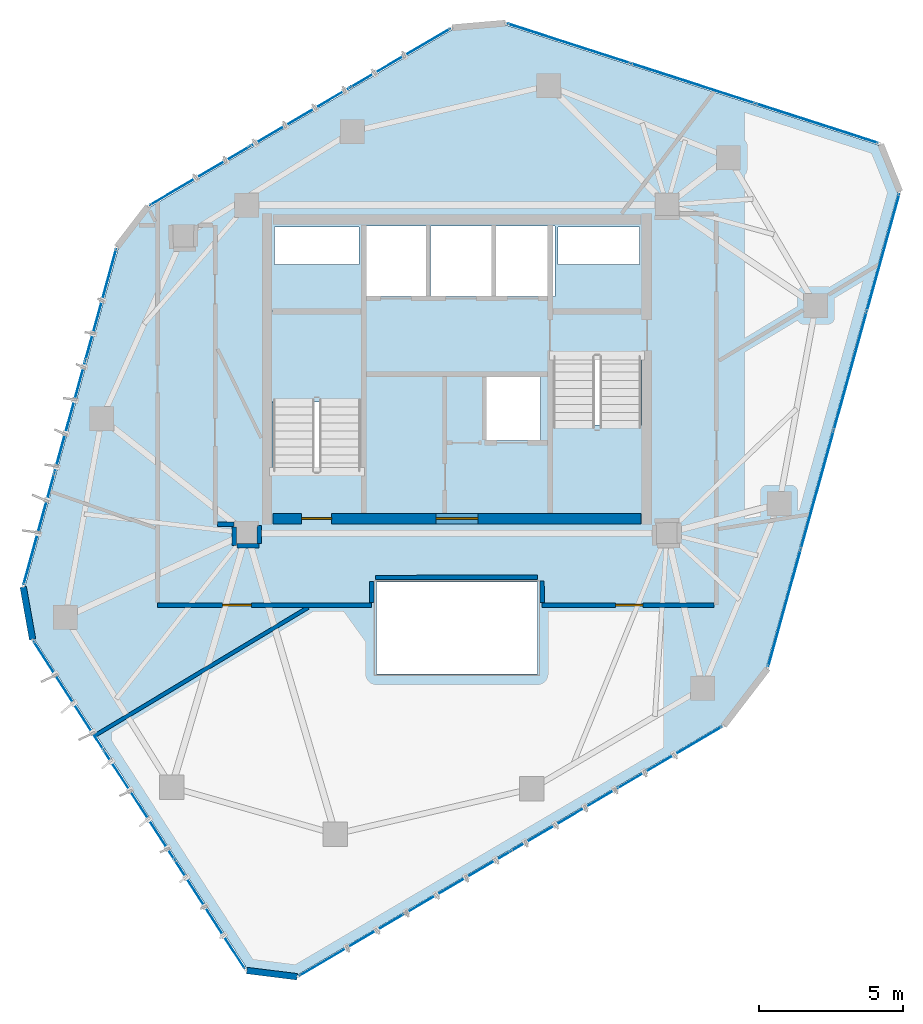
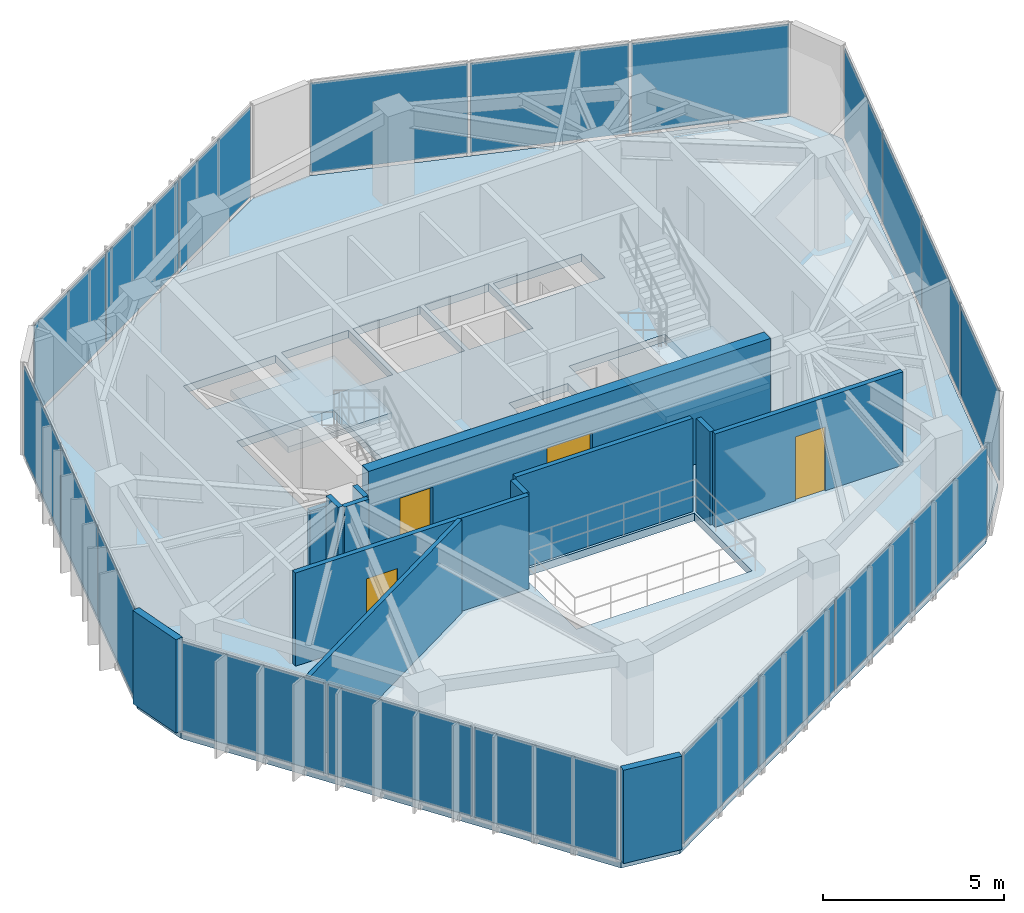
# One storey, part 16 of 20: 20 plates, 13 walls, 4 doors, 3 slabs, 4 openings, 8 elements without a shape of their own.
"""IFC4 building model written with IfcOpenShell, lengths in metres."""

from ifc_helpers import new_model, si_unit, direction, frame, frame_2d, origin, origin_2d, place, context, subcontext, project, spatial, polyline, rectangle, outline, extrude, source, transform, mapped, material, layer, layer_set, type_object, type_shapes, element, fill, aggregate, save


model = new_model("IFC4")

# Units and contexts
model_context = context("Model", 3, precision=1e-05, world=origin(), true_north=direction((0.0, 1.0)))
body_context = subcontext(model_context, "Body", "Model", "MODEL_VIEW")
ifc_project = project(units=[si_unit("LENGTHUNIT", "METRE"), si_unit("AREAUNIT", "SQUARE_METRE"), si_unit("VOLUMEUNIT", "CUBIC_METRE"), si_unit("PLANEANGLEUNIT", "RADIAN"), si_unit("MASSUNIT", "GRAM", prefix="KILO")], contexts=[model_context])

# Site, building, storey
site_placement = place(None, origin())
site = spatial("IfcSite", under=ifc_project, at=site_placement, CompositionType="ELEMENT")
building_placement = place(site_placement, origin())
building = spatial("IfcBuilding", under=site, at=building_placement, Name="Talar Marvaseh", CompositionType="ELEMENT")
storey_placement = place(building_placement, frame((0.0, 0.0, 254.39990234375)))
storey = spatial("IfcBuildingStorey", under=building, at=storey_placement, Name="L67", CompositionType="ELEMENT", Elevation=254.39990234375)

# Stair, slab
ifc_material_1 = material(Name="Concrete C40/50", Category="concrete")
stair_type = type_object("IfcStairType", Name="Reinforced Concrete High-Rise Exit Stair Type C", PredefinedType="HALF_TURN_STAIR", material=ifc_material_1)
stair_1_placement = place(storey_placement, origin())
stair_1 = element("IfcStair", 1, at=stair_1_placement, inside=storey, type_object=stair_type, Name="L67 Tower West Core Exit Stair", PredefinedType="HALF_TURN_STAIR")
ifc_layer_1 = layer(ifc_material_1, 0.199951171875)
ifc_layer_set_1 = layer_set([ifc_layer_1], Name="Concrete C40/50")
slab_type_1 = type_object("IfcSlabType", Name="Reinforced Concrete Stair Half-Landing Slab 200", PredefinedType="LANDING", material=ifc_layer_set_1)
slab_1_placement = place(storey_placement, frame((0.0, 0.0, 1.5)))
slab_1 = element("IfcSlab", 2, at=slab_1_placement, type_object=slab_type_1, Name="ST-1 landing 1", PredefinedType="LANDING", context=body_context, shape_type="SweptSolid", body=[
    extrude(outline(polyline([(22.780029296875, 30.050048828125), (22.780029296875, 33.219970703125), (19.47998046875, 33.219970703125), (19.47998046875, 30.050048828125), (22.780029296875, 30.050048828125)])), origin(), (0.0, 0.0, 1.0), 0.2001953125),
])
aggregate(stair_1, [slab_1])

stair_2_placement = place(storey_placement, origin())
stair_2 = element("IfcStair", 3, at=stair_2_placement, inside=storey, type_object=stair_type, Name="L67 Tower East Core Exit Stair", PredefinedType="HALF_TURN_STAIR")
slab_2_placement = place(storey_placement, frame((0.0, 0.0, 1.5)))
slab_2 = element("IfcSlab", 4, at=slab_2_placement, type_object=slab_type_1, Name="ST-2 landing 1", PredefinedType="LANDING", context=body_context, shape_type="SweptSolid", body=[
    extrude(outline(polyline([(29.219970703125, 29.25), (29.219970703125, 26.080078125), (32.52001953125, 26.080078125), (32.52001953125, 29.25), (29.219970703125, 29.25)])), origin(), (0.0, 0.0, 1.0), 0.2001953125),
])
aggregate(stair_2, [slab_2])

# Slab
ifc_layer_2 = layer(ifc_material_1, 0.260009765625)
ifc_layer_set_2 = layer_set([ifc_layer_2], Name="Concrete C40/50")
slab_type_2 = type_object("IfcSlabType", Name="Structural Suspended Floor Slab 260", PredefinedType="FLOOR", material=ifc_layer_set_2)
slab_3_placement = place(storey_placement, frame((0.0, 0.0, -0.260009765625)))
element("IfcSlab", 5, at=slab_3_placement, inside=storey, type_object=slab_type_2, Name="L67 Tower Floor Slab", PredefinedType="FLOOR", context=body_context, shape_type="SweptSolid", body=[
    extrude(outline(polyline([(20.452880859375, 10.140869140625), (18.70849609375, 10.357421875), (11.31298828125, 21.812255859375), (10.98681640625, 23.639892578125), (14.234619140625, 35.40576171875), (15.318603515625, 36.818359375), (25.843017578125, 43.000732421875), (27.692626953125, 43.15869140625), (40.67138671875, 38.97998046875), (41.33203125, 37.350830078125), (36.74755859375, 20.830078125), (35.224365234375, 18.844970703125), (20.452880859375, 10.140869140625)]), holes=[polyline([(22.659912109375, 27.64990234375), (22.659912109375, 33.10009765625), (19.60009765625, 33.10009765625), (19.60009765625, 27.64990234375), (22.659912109375, 27.64990234375)]), polyline([(29.340087890625, 31.64990234375), (29.340087890625, 26.199951171875), (32.39990234375, 26.199951171875), (32.39990234375, 31.64990234375), (29.340087890625, 31.64990234375)]), polyline([(22.800048828125, 33.719970703125), (24.93994140625, 33.719970703125), (24.93994140625, 36.179931640625), (22.800048828125, 36.179931640625), (22.800048828125, 33.719970703125)]), polyline([(25.080078125, 33.719970703125), (27.219970703125, 33.719970703125), (27.219970703125, 36.179931640625), (25.080078125, 36.179931640625), (25.080078125, 33.719970703125)]), polyline([(27.360107421875, 33.719970703125), (29.39990234375, 33.719970703125), (29.39990234375, 36.179931640625), (27.360107421875, 36.179931640625), (27.360107421875, 33.719970703125)]), polyline([(27.02001953125, 28.719970703125), (28.89990234375, 28.719970703125), (28.89990234375, 30.93994140625), (27.02001953125, 30.93994140625), (27.02001953125, 28.719970703125)]), polyline([(19.659912109375, 34.840087890625), (22.60009765625, 34.840087890625), (22.60009765625, 36.139892578125), (19.659912109375, 36.139892578125), (19.659912109375, 34.840087890625)]), polyline([(29.52001953125, 34.840087890625), (32.340087890625, 34.840087890625), (32.340087890625, 36.139892578125), (29.52001953125, 36.139892578125), (29.52001953125, 34.840087890625)]), polyline([(23.199951171875, 20.60009765625), (28.800048828125, 20.60009765625), (28.800048828125, 23.800048828125), (23.199951171875, 23.800048828125), (23.199951171875, 20.60009765625)])]), origin(), (0.0, 0.0, 1.0), 0.260009765625),
])

# Curtain wall, plates
ifc_material_2 = material(Name="Architectural Aluminium", Category="aluminium")
ifc_layer_3 = layer(ifc_material_2, 0.179931640625)
ifc_layer_set_3 = layer_set([ifc_layer_3], Name="Architectural Aluminium")
curtain_wall_type = type_object("IfcCurtainWallType", Name="Unitised High-Wind Sky Curtain Wall Z4", PredefinedType="NOTDEFINED", material=ifc_layer_set_3)
curtain_wall_1_placement = place(storey_placement, origin())
curtain_wall_1 = element("IfcCurtainWall", 6, at=curtain_wall_1_placement, inside=storey, type_object=curtain_wall_type, Name="L67 Unitised High-Wind Sky Curtain Wall Z4", PredefinedType="NOTDEFINED")
ifc_material_3 = material(Name="Laminated Low-E Solar Glass", Category="glass")
ifc_layer_4 = layer(ifc_material_3, 0.028076171875)
ifc_layer_set_4 = layer_set([ifc_layer_4], Name="Laminated Low-E Solar Glass")
plate_type = type_object("IfcPlateType", Name="Double-Glazed Low-E Vision Curtain Panel 28", PredefinedType="CURTAIN_PANEL", material=ifc_layer_set_4)
shared_shape_1 = source(origin(), body_context, "Body", "SweptSolid", [
    extrude(rectangle(XDim=4.447509765625, YDim=0.028076171875, at=origin_2d()), origin(), (0.0, 0.0, 1.0), 3.010009765625),
])
plate_1_placement = place(storey_placement, frame((17.416748046875, 12.24755859375, 0.06494140625), z_axis=(0.0, 0.0, 1.0), x_axis=(-0.54238794961, 0.840128152199, 0.0)))
plate_1 = element("IfcPlate", 7, at=plate_1_placement, type_object=plate_type, Name="CW-Z4 panel 1.1", PredefinedType="CURTAIN_PANEL", context=body_context, shape_type="MappedRepresentation", body=[
    mapped(shared_shape_1, transform((0.0, 0.0, 0.0), x_axis=(1.0, 0.0, 0.0), y_axis=(0.0, 1.0, 0.0), z_axis=(0.0, 0.0, 1.0), scale=1.0)),
])
plate_2_placement = place(storey_placement, frame((12.504150390625, 19.85693359375, 0.06494140625), z_axis=(0.0, 0.0, 1.0), x_axis=(-0.54238794961, 0.840128152199, 0.0)))
plate_2 = element("IfcPlate", 8, at=plate_2_placement, type_object=plate_type, Name="CW-Z4 panel 3.1", PredefinedType="CURTAIN_PANEL", context=body_context, shape_type="MappedRepresentation", body=[
    mapped(shared_shape_1, transform((0.0, 0.0, 0.0), x_axis=(1.0, 0.0, 0.0), y_axis=(0.0, 1.0, 0.0), z_axis=(0.0, 0.0, 1.0), scale=1.0)),
])

curtain_wall_2_placement = place(storey_placement, origin())
curtain_wall_2 = element("IfcCurtainWall", 9, at=curtain_wall_2_placement, inside=storey, type_object=curtain_wall_type, Name="L67 Unitised High-Wind Sky Curtain Wall Z4", PredefinedType="NOTDEFINED")
plate_3_placement = place(storey_placement, frame((29.8896484375, 42.514404296875, 0.06494140625), z_axis=(0.0, 0.0, 1.0), x_axis=(0.951880867129, -0.306468293294, 0.0)))
plate_3 = element("IfcPlate", 10, at=plate_3_placement, type_object=plate_type, Name="CW-Z4 panel 1.1", PredefinedType="CURTAIN_PANEL", context=body_context, shape_type="MappedRepresentation", body=[
    mapped(shared_shape_1, transform((0.0, 0.0, 0.0), x_axis=(1.0, 0.0, 0.0), y_axis=(0.0, 1.0, 0.0), z_axis=(0.0, 0.0, 1.0), scale=1.0)),
])
plate_4_placement = place(storey_placement, frame((38.51123046875, 39.738525390625, 0.06494140625), z_axis=(0.0, 0.0, 1.0), x_axis=(0.951880867129, -0.306468293294, 0.0)))
plate_4 = element("IfcPlate", 11, at=plate_4_placement, type_object=plate_type, Name="CW-Z4 panel 3.1", PredefinedType="CURTAIN_PANEL", context=body_context, shape_type="MappedRepresentation", body=[
    mapped(shared_shape_1, transform((0.0, 0.0, 0.0), x_axis=(1.0, 0.0, 0.0), y_axis=(0.0, 1.0, 0.0), z_axis=(0.0, 0.0, 1.0), scale=1.0)),
])

# Plate
shared_shape_2 = source(origin(), body_context, "Body", "SweptSolid", [
    extrude(rectangle(XDim=4.47998046875, YDim=0.028076171875, at=origin_2d()), origin(), (0.0, 0.0, 1.0), 3.010009765625),
])
plate_5_placement = place(storey_placement, frame((14.96044921875, 16.05224609375, 0.06494140625), z_axis=(0.0, 0.0, 1.0), x_axis=(-0.54238794961, 0.840128152199, 0.0)))
plate_5 = element("IfcPlate", 12, at=plate_5_placement, type_object=plate_type, Name="CW-Z4 panel 2.1", PredefinedType="CURTAIN_PANEL", context=body_context, shape_type="MappedRepresentation", body=[
    mapped(shared_shape_2, transform((0.0, 0.0, 0.0), x_axis=(1.0, 0.0, 0.0), y_axis=(0.0, 1.0, 0.0), z_axis=(0.0, 0.0, 1.0), scale=1.0)),
])

aggregate(curtain_wall_1, [plate_1, plate_5, plate_2])

plate_6_placement = place(storey_placement, frame((34.200439453125, 41.12646484375, 0.06494140625), z_axis=(0.0, 0.0, 1.0), x_axis=(0.951880867129, -0.306468293294, 0.0)))
plate_6 = element("IfcPlate", 13, at=plate_6_placement, type_object=plate_type, Name="CW-Z4 panel 2.1", PredefinedType="CURTAIN_PANEL", context=body_context, shape_type="MappedRepresentation", body=[
    mapped(shared_shape_2, transform((0.0, 0.0, 0.0), x_axis=(1.0, 0.0, 0.0), y_axis=(0.0, 1.0, 0.0), z_axis=(0.0, 0.0, 1.0), scale=1.0)),
])

aggregate(curtain_wall_2, [plate_3, plate_6, plate_4])

# Curtain wall, plates
curtain_wall_3_placement = place(storey_placement, origin())
curtain_wall_3 = element("IfcCurtainWall", 14, at=curtain_wall_3_placement, inside=storey, type_object=curtain_wall_type, Name="L67 Unitised High-Wind Sky Curtain Wall Z4", PredefinedType="NOTDEFINED")
shared_shape_3 = source(origin(), body_context, "Body", "SweptSolid", [
    extrude(rectangle(XDim=3.97119140625, YDim=0.028076171875, at=origin_2d()), origin(), (0.0, 0.0, 1.0), 3.010009765625),
])
plate_7_placement = place(storey_placement, frame((11.474609375, 25.632568359375, 0.06494140625), z_axis=(0.0, 0.0, 1.0), x_axis=(0.266091499978, 0.963947775369, 0.0)))
plate_7 = element("IfcPlate", 15, at=plate_7_placement, type_object=plate_type, Name="CW-Z4 panel 1.1", PredefinedType="CURTAIN_PANEL", context=body_context, shape_type="MappedRepresentation", body=[
    mapped(shared_shape_3, transform((0.0, 0.0, 0.0), x_axis=(1.0, 0.0, 0.0), y_axis=(0.0, 1.0, 0.0), z_axis=(0.0, 0.0, 1.0), scale=1.0)),
])
plate_8_placement = place(storey_placement, frame((13.631103515625, 33.445068359375, 0.06494140625), z_axis=(0.0, 0.0, 1.0), x_axis=(0.266091499978, 0.963947775369, 0.0)))
plate_8 = element("IfcPlate", 16, at=plate_8_placement, type_object=plate_type, Name="CW-Z4 panel 3.1", PredefinedType="CURTAIN_PANEL", context=body_context, shape_type="MappedRepresentation", body=[
    mapped(shared_shape_3, transform((0.0, 0.0, 0.0), x_axis=(1.0, 0.0, 0.0), y_axis=(0.0, 1.0, 0.0), z_axis=(0.0, 0.0, 1.0), scale=1.0)),
])

curtain_wall_4_placement = place(storey_placement, origin())
curtain_wall_4 = element("IfcCurtainWall", 17, at=curtain_wall_4_placement, inside=storey, type_object=curtain_wall_type, Name="L67 Unitised High-Wind Sky Curtain Wall Z4", PredefinedType="NOTDEFINED")
plate_9_placement = place(storey_placement, frame((17.05615234375, 37.90869140625, 0.06494140625), z_axis=(0.0, 0.0, 1.0), x_axis=(0.862229976306, 0.506516996713, 0.0)))
plate_9 = element("IfcPlate", 18, at=plate_9_placement, type_object=plate_type, Name="CW-Z4 panel 1.1", PredefinedType="CURTAIN_PANEL", context=body_context, shape_type="MappedRepresentation", body=[
    mapped(shared_shape_3, transform((0.0, 0.0, 0.0), x_axis=(1.0, 0.0, 0.0), y_axis=(0.0, 1.0, 0.0), z_axis=(0.0, 0.0, 1.0), scale=1.0)),
])
plate_10_placement = place(storey_placement, frame((24.04443359375, 42.013916015625, 0.06494140625), z_axis=(0.0, 0.0, 1.0), x_axis=(0.862229976306, 0.506516996713, 0.0)))
plate_10 = element("IfcPlate", 19, at=plate_10_placement, type_object=plate_type, Name="CW-Z4 panel 3.1", PredefinedType="CURTAIN_PANEL", context=body_context, shape_type="MappedRepresentation", body=[
    mapped(shared_shape_3, transform((0.0, 0.0, 0.0), x_axis=(1.0, 0.0, 0.0), y_axis=(0.0, 1.0, 0.0), z_axis=(0.0, 0.0, 1.0), scale=1.0)),
])

# Plate
shared_shape_4 = source(origin(), body_context, "Body", "SweptSolid", [
    extrude(rectangle(XDim=4.003662109375, YDim=0.028076171875, at=origin_2d()), origin(), (0.0, 0.0, 1.0), 3.010009765625),
])
plate_11_placement = place(storey_placement, frame((12.552734375, 29.538818359375, 0.06494140625), z_axis=(0.0, 0.0, 1.0), x_axis=(0.266091499978, 0.963947775369, 0.0)))
plate_11 = element("IfcPlate", 20, at=plate_11_placement, type_object=plate_type, Name="CW-Z4 panel 2.1", PredefinedType="CURTAIN_PANEL", context=body_context, shape_type="MappedRepresentation", body=[
    mapped(shared_shape_4, transform((0.0, 0.0, 0.0), x_axis=(1.0, 0.0, 0.0), y_axis=(0.0, 1.0, 0.0), z_axis=(0.0, 0.0, 1.0), scale=1.0)),
])

aggregate(curtain_wall_3, [plate_7, plate_11, plate_8])

plate_12_placement = place(storey_placement, frame((20.55029296875, 39.961181640625, 0.06494140625), z_axis=(0.0, 0.0, 1.0), x_axis=(0.862229976306, 0.506516996713, 0.0)))
plate_12 = element("IfcPlate", 21, at=plate_12_placement, type_object=plate_type, Name="CW-Z4 panel 2.1", PredefinedType="CURTAIN_PANEL", context=body_context, shape_type="MappedRepresentation", body=[
    mapped(shared_shape_4, transform((0.0, 0.0, 0.0), x_axis=(1.0, 0.0, 0.0), y_axis=(0.0, 1.0, 0.0), z_axis=(0.0, 0.0, 1.0), scale=1.0)),
])

aggregate(curtain_wall_4, [plate_9, plate_12, plate_10])

# Curtain wall, plates
curtain_wall_5_placement = place(storey_placement, origin())
curtain_wall_5 = element("IfcCurtainWall", 22, at=curtain_wall_5_placement, inside=storey, type_object=curtain_wall_type, Name="L67 Unitised High-Wind Sky Curtain Wall Z4", PredefinedType="NOTDEFINED")
shared_shape_5 = source(origin(), body_context, "Body", "SweptSolid", [
    extrude(rectangle(XDim=4.188720703125, YDim=0.028076171875, at=origin_2d()), origin(), (0.0, 0.0, 1.0), 3.010009765625),
])
plate_13_placement = place(storey_placement, frame((40.8125, 35.254150390625, 0.06494140625), z_axis=(0.0, 0.0, 1.0), x_axis=(-0.267390261237, -0.963588318835, 0.0)))
plate_13 = element("IfcPlate", 23, at=plate_13_placement, type_object=plate_type, Name="CW-Z4 panel 1.1", PredefinedType="CURTAIN_PANEL", context=body_context, shape_type="MappedRepresentation", body=[
    mapped(shared_shape_5, transform((0.0, 0.0, 0.0), x_axis=(1.0, 0.0, 0.0), y_axis=(0.0, 1.0, 0.0), z_axis=(0.0, 0.0, 1.0), scale=1.0)),
])
plate_14_placement = place(storey_placement, frame((37.3828125, 22.89501953125, 0.06494140625), z_axis=(0.0, 0.0, 1.0), x_axis=(-0.267390261237, -0.963588318835, 0.0)))
plate_14 = element("IfcPlate", 24, at=plate_14_placement, type_object=plate_type, Name="CW-Z4 panel 4.1", PredefinedType="CURTAIN_PANEL", context=body_context, shape_type="MappedRepresentation", body=[
    mapped(shared_shape_5, transform((0.0, 0.0, 0.0), x_axis=(1.0, 0.0, 0.0), y_axis=(0.0, 1.0, 0.0), z_axis=(0.0, 0.0, 1.0), scale=1.0)),
])

curtain_wall_6_placement = place(storey_placement, origin())
curtain_wall_6 = element("IfcCurtainWall", 25, at=curtain_wall_6_placement, inside=storey, type_object=curtain_wall_type, Name="L67 Unitised High-Wind Sky Curtain Wall Z4", PredefinedType="NOTDEFINED")
plate_15_placement = place(storey_placement, frame((33.394287109375, 17.697021484375, 0.06494140625), z_axis=(0.0, 0.0, 1.0), x_axis=(-0.861550579207, -0.507671743815, 0.0)))
plate_15 = element("IfcPlate", 26, at=plate_15_placement, type_object=plate_type, Name="CW-Z4 panel 1.1", PredefinedType="CURTAIN_PANEL", context=body_context, shape_type="MappedRepresentation", body=[
    mapped(shared_shape_5, transform((0.0, 0.0, 0.0), x_axis=(1.0, 0.0, 0.0), y_axis=(0.0, 1.0, 0.0), z_axis=(0.0, 0.0, 1.0), scale=1.0)),
])
plate_16_placement = place(storey_placement, frame((22.34375, 11.185302734375, 0.06494140625), z_axis=(0.0, 0.0, 1.0), x_axis=(-0.861550579207, -0.507671743815, 0.0)))
plate_16 = element("IfcPlate", 27, at=plate_16_placement, type_object=plate_type, Name="CW-Z4 panel 4.1", PredefinedType="CURTAIN_PANEL", context=body_context, shape_type="MappedRepresentation", body=[
    mapped(shared_shape_5, transform((0.0, 0.0, 0.0), x_axis=(1.0, 0.0, 0.0), y_axis=(0.0, 1.0, 0.0), z_axis=(0.0, 0.0, 1.0), scale=1.0)),
])

# Plate
shared_shape_6 = source(origin(), body_context, "Body", "SweptSolid", [
    extrude(rectangle(XDim=4.22119140625, YDim=0.028076171875, at=origin_2d()), origin(), (0.0, 0.0, 1.0), 3.010009765625),
])
type_shapes(plate_type, [shared_shape_1, shared_shape_2, shared_shape_3, shared_shape_4, shared_shape_5, shared_shape_6])
plate_17_placement = place(storey_placement, frame((39.670654296875, 31.1396484375, 0.06494140625), z_axis=(0.0, 0.0, 1.0), x_axis=(-0.267390261237, -0.963588318835, 0.0)))
plate_17 = element("IfcPlate", 28, at=plate_17_placement, type_object=plate_type, Name="CW-Z4 panel 2.1", PredefinedType="CURTAIN_PANEL", context=body_context, shape_type="MappedRepresentation", body=[
    mapped(shared_shape_6, transform((0.0, 0.0, 0.0), x_axis=(1.0, 0.0, 0.0), y_axis=(0.0, 1.0, 0.0), z_axis=(0.0, 0.0, 1.0), scale=1.0)),
])

plate_18_placement = place(storey_placement, frame((38.524658203125, 27.009521484375, 0.06494140625), z_axis=(0.0, 0.0, 1.0), x_axis=(-0.267390261237, -0.963588318835, 0.0)))
plate_18 = element("IfcPlate", 29, at=plate_18_placement, type_object=plate_type, Name="CW-Z4 panel 3.1", PredefinedType="CURTAIN_PANEL", context=body_context, shape_type="MappedRepresentation", body=[
    mapped(shared_shape_6, transform((0.0, 0.0, 0.0), x_axis=(1.0, 0.0, 0.0), y_axis=(0.0, 1.0, 0.0), z_axis=(0.0, 0.0, 1.0), scale=1.0)),
])

aggregate(curtain_wall_5, [plate_13, plate_17, plate_18, plate_14])

plate_19_placement = place(storey_placement, frame((29.715576171875, 15.529052734375, 0.06494140625), z_axis=(0.0, 0.0, 1.0), x_axis=(-0.861550579207, -0.507671743815, 0.0)))
plate_19 = element("IfcPlate", 30, at=plate_19_placement, type_object=plate_type, Name="CW-Z4 panel 2.1", PredefinedType="CURTAIN_PANEL", context=body_context, shape_type="MappedRepresentation", body=[
    mapped(shared_shape_6, transform((0.0, 0.0, 0.0), x_axis=(1.0, 0.0, 0.0), y_axis=(0.0, 1.0, 0.0), z_axis=(0.0, 0.0, 1.0), scale=1.0)),
])

plate_20_placement = place(storey_placement, frame((26.022705078125, 13.35302734375, 0.06494140625), z_axis=(0.0, 0.0, 1.0), x_axis=(-0.861550579207, -0.507671743815, 0.0)))
plate_20 = element("IfcPlate", 31, at=plate_20_placement, type_object=plate_type, Name="CW-Z4 panel 3.1", PredefinedType="CURTAIN_PANEL", context=body_context, shape_type="MappedRepresentation", body=[
    mapped(shared_shape_6, transform((0.0, 0.0, 0.0), x_axis=(1.0, 0.0, 0.0), y_axis=(0.0, 1.0, 0.0), z_axis=(0.0, 0.0, 1.0), scale=1.0)),
])

aggregate(curtain_wall_6, [plate_15, plate_19, plate_20, plate_16])

# Walls
ifc_material_4 = material(Name="Precast concrete C45/55", Category="concrete")
ifc_layer_5 = layer(ifc_material_4, 0.22509765625)
ifc_layer_set_5 = layer_set([ifc_layer_5], Name="Precast concrete C45/55")
wall_type_1 = type_object("IfcWallType", Name="Chamfered Hexagonal Corner Pier Wall Z4 225", PredefinedType="SOLIDWALL", material=ifc_layer_set_5)
wall_1_placement = place(storey_placement, frame((20.445556640625, 10.081298828125, 0.0), z_axis=(0.0, 0.0, 1.0), x_axis=(-0.992384333856, 0.12318008734, 0.0)))
element("IfcWall", 32, at=wall_1_placement, inside=storey, type_object=wall_type_1, Name="L67 Chamfered Corner Limestone Pier 1", PredefinedType="SOLIDWALL", context=body_context, shape_type="SweptSolid", body=[
    extrude(rectangle(XDim=1.758056640625, YDim=0.22509765625, at=frame_2d((0.87890625, 0.0))), origin(), (0.0, 0.0, 1.0), 3.14013671875),
])
wall_2_placement = place(storey_placement, frame((11.25390625, 21.8017578125, 0.0), z_axis=(0.0, 0.0, 1.0), x_axis=(-0.175817946583, 0.984422698671, 0.0)))
element("IfcWall", 33, at=wall_2_placement, inside=storey, type_object=wall_type_1, Name="L67 Chamfered Corner Limestone Pier 2", PredefinedType="SOLIDWALL", context=body_context, shape_type="SweptSolid", body=[
    extrude(rectangle(XDim=1.8564453125, YDim=0.22509765625, at=frame_2d((0.92822265625, 0.0))), origin(), (0.0, 0.0, 1.0), 3.14013671875),
])

# Wall, opening, door
ifc_material_5 = material(Name="Gypsum Board Partition Assembly")
ifc_layer_6 = layer(ifc_material_5, 0.155029296875)
ifc_layer_set_6 = layer_set([ifc_layer_6], Name="Gypsum Board Partition Assembly")
wall_type_2 = type_object("IfcWallType", Name="Corridor Fire-Rated Acoustic Partition 155", PredefinedType="PARTITIONING", material=ifc_layer_set_6)
wall_3_placement = place(storey_placement, frame((34.9365234375, 23.0, 0.0), z_axis=(0.0, 0.0, 1.0), x_axis=(-1.0, 0.0, 0.0)))
wall_3 = element("IfcWall", 34, at=wall_3_placement, inside=storey, type_object=wall_type_2, Name="L67 Interior Partition Wall", PredefinedType="PARTITIONING", context=body_context, shape_type="SweptSolid", body=[
    extrude(rectangle(XDim=5.9765625, YDim=0.155029296875, at=frame_2d((2.98828125, 0.0))), origin(), (0.0, 0.0, 1.0), 3.14013671875),
])
opening_1_placement = place(wall_3_placement, frame((2.471435546875, 0.0, 0.0)))
opening_1 = element("IfcOpeningElement", 35, at=opening_1_placement, cuts=wall_3, Name="Opening DR-WC095", PredefinedType="OPENING", context=body_context, shape_type="SweptSolid", body=[
    extrude(rectangle(XDim=0.949951171875, YDim=2.14990234375, at=frame_2d((0.47509765625, 1.074951171875))), frame((0.0, 0.08740234375, 0.0), z_axis=(0.0, -1.0, 0.0), x_axis=(1.0, 0.0, 0.0)), (0.0, 0.0, 1.0), 0.175048828125),
])
ifc_material_6 = material(Name="Acoustic Engineered Oak Timber", Category="wood")
door_type_1 = type_object("IfcDoorType", Name="Washroom and Service Room Door 950x2150", OperationType="NOTDEFINED", PredefinedType="DOOR", material=ifc_material_6)
shared_shape_7 = source(origin(), body_context, "Body", "SweptSolid", [
    extrude(rectangle(XDim=0.949951171875, YDim=2.14990234375, at=frame_2d((0.47509765625, 1.074951171875))), frame((0.0, 0.02490234375, 0.0), z_axis=(0.0, -1.0, 0.0), x_axis=(1.0, 0.0, 0.0)), (0.0, 0.0, 1.0), 0.050048828125),
])
type_shapes(door_type_1, [shared_shape_7])
door_1_placement = place(opening_1_placement, origin())
door_1 = element("IfcDoor", 36, at=door_1_placement, inside=storey, type_object=door_type_1, Name="L67 Rare Books Archive Room Door", OperationType="SINGLE_SWING_LEFT", OverallHeight=2.14990234375, OverallWidth=0.949951171875, PredefinedType="DOOR", context=body_context, shape_type="MappedRepresentation", body=[
    mapped(shared_shape_7, transform((0.0, 0.0, 0.0), x_axis=(1.0, 0.0, 0.0), y_axis=(0.0, 1.0, 0.0), z_axis=(0.0, 0.0, 1.0), scale=1.0)),
])
fill(opening_1, door_1)

wall_4_placement = place(storey_placement, frame((23.0400390625, 23.0, 0.0), z_axis=(0.0, 0.0, 1.0), x_axis=(-1.0, 0.0, 0.0)))
wall_4 = element("IfcWall", 37, at=wall_4_placement, inside=storey, type_object=wall_type_2, Name="L67 Interior Partition Wall", PredefinedType="PARTITIONING", context=body_context, shape_type="SweptSolid", body=[
    extrude(rectangle(XDim=7.43994140625, YDim=0.155029296875, at=frame_2d((3.719970703125, 0.0))), origin(), (0.0, 0.0, 1.0), 3.14013671875),
])
opening_2_placement = place(wall_4_placement, frame((4.18603515625, 0.0, 0.0)))
opening_2 = element("IfcOpeningElement", 38, at=opening_2_placement, cuts=wall_4, Name="Opening DR-RM100", PredefinedType="OPENING", context=body_context, shape_type="SweptSolid", body=[
    extrude(rectangle(XDim=1.0, YDim=2.14990234375, at=frame_2d((0.5, 1.074951171875))), frame((0.0, 0.08740234375, 0.0), z_axis=(0.0, -1.0, 0.0), x_axis=(1.0, 0.0, 0.0)), (0.0, 0.0, 1.0), 0.175048828125),
])
door_type_2 = type_object("IfcDoorType", Name="Corridor Fire-Rated Gallery Door 1000x2150", OperationType="NOTDEFINED", PredefinedType="DOOR", material=ifc_material_6)
shared_shape_8 = source(origin(), body_context, "Body", "SweptSolid", [
    extrude(rectangle(XDim=1.0, YDim=2.14990234375, at=frame_2d((0.5, 1.074951171875))), frame((0.0, 0.02490234375, 0.0), z_axis=(0.0, -1.0, 0.0), x_axis=(1.0, 0.0, 0.0)), (0.0, 0.0, 1.0), 0.050048828125),
])
type_shapes(door_type_2, [shared_shape_8])
door_2_placement = place(opening_2_placement, origin())
door_2 = element("IfcDoor", 39, at=door_2_placement, inside=storey, type_object=door_type_2, Name="L67 Museum Publication Bookshop Door", OperationType="SINGLE_SWING_RIGHT", OverallHeight=2.14990234375, OverallWidth=1.0, PredefinedType="DOOR", context=body_context, shape_type="MappedRepresentation", body=[
    mapped(shared_shape_8, transform((0.0, 0.0, 0.0), x_axis=(1.0, 0.0, 0.0), y_axis=(0.0, 1.0, 0.0), z_axis=(0.0, 0.0, 1.0), scale=1.0)),
])
fill(opening_2, door_2)

# Walls
wall_5_placement = place(storey_placement, frame((17.68359375, 25.800048828125, 0.0), z_axis=(0.0, 0.0, 1.0), x_axis=(1.0, 0.0, 0.0)))
element("IfcWall", 40, at=wall_5_placement, inside=storey, type_object=wall_type_2, Name="L67 Interior Partition Wall", PredefinedType="PARTITIONING", context=body_context, shape_type="SweptSolid", body=[
    extrude(rectangle(XDim=0.576416015625, YDim=0.155029296875, at=frame_2d((0.2880859375, 0.0))), origin(), (0.0, 0.0, 1.0), 2.802001953125),
])
wall_6_placement = place(storey_placement, frame((18.260986328125, 25.716552734375, 0.0), z_axis=(0.0, 0.0, 1.0), x_axis=(0.010439401276, -0.999945507966, 0.0)))
element("IfcWall", 41, at=wall_6_placement, inside=storey, type_object=wall_type_2, Name="L67 Interior Partition Wall", PredefinedType="PARTITIONING", context=body_context, shape_type="SweptSolid", body=[
    extrude(rectangle(XDim=0.65478515625, YDim=0.155029296875, at=frame_2d((0.327392578125, 0.0))), origin(), (0.0, 0.0, 1.0), 3.14013671875),
])
wall_7_placement = place(storey_placement, frame((18.351318359375, 25.0615234375, 0.0), z_axis=(0.0, 0.0, 1.0), x_axis=(0.999998207633, -0.001893338355, 0.0)))
element("IfcWall", 42, at=wall_7_placement, inside=storey, type_object=wall_type_2, Name="L67 Interior Partition Wall", PredefinedType="PARTITIONING", context=body_context, shape_type="SweptSolid", body=[
    extrude(rectangle(XDim=0.773681640625, YDim=0.155029296875, at=frame_2d((0.38671875, 0.0))), origin(), (0.0, 0.0, 1.0), 3.14013671875),
])
wall_8_placement = place(storey_placement, frame((19.126708984375, 25.1435546875, 0.0), z_axis=(0.0, 0.0, 1.0), x_axis=(0.021238324089, 0.999774441357, 0.0)))
element("IfcWall", 43, at=wall_8_placement, inside=storey, type_object=wall_type_2, Name="L67 Interior Partition Wall", PredefinedType="PARTITIONING", context=body_context, shape_type="SweptSolid", body=[
    extrude(rectangle(XDim=0.620849609375, YDim=0.155029296875, at=frame_2d((0.310546875, 0.0))), origin(), (0.0, 0.0, 1.0), 3.14013671875),
])
wall_9_placement = place(storey_placement, frame((28.959716796875, 23.08349609375, 0.0), z_axis=(0.0, 0.0, 1.0), x_axis=(-0.003917697652, 0.999992325793, 0.0)))
element("IfcWall", 44, at=wall_9_placement, inside=storey, type_object=wall_type_2, Name="L67 Interior Partition Wall", PredefinedType="PARTITIONING", context=body_context, shape_type="SweptSolid", body=[
    extrude(rectangle(XDim=0.747802734375, YDim=0.155029296875, at=frame_2d((0.3740234375, 0.0))), origin(), (0.0, 0.0, 1.0), 3.14013671875),
])
wall_10_placement = place(storey_placement, frame((28.800048828125, 23.9599609375, 0.0), z_axis=(0.0, 0.0, 1.0), x_axis=(-0.999999841177, -0.000563600015, 0.0)))
element("IfcWall", 45, at=wall_10_placement, inside=storey, type_object=wall_type_2, Name="L67 Interior Partition Wall", PredefinedType="PARTITIONING", context=body_context, shape_type="SweptSolid", body=[
    extrude(rectangle(XDim=5.63134765625, YDim=0.155029296875, at=frame_2d((2.815673828125, 0.0))), origin(), (0.0, 0.0, 1.0), 3.14013671875),
])
wall_11_placement = place(storey_placement, frame((23.040771484375, 23.815673828125, 0.0), z_axis=(0.0, 0.0, 1.0), x_axis=(-0.001000332944, -0.999999499667, 0.0)))
element("IfcWall", 46, at=wall_11_placement, inside=storey, type_object=wall_type_2, Name="L67 Interior Partition Wall", PredefinedType="PARTITIONING", context=body_context, shape_type="SweptSolid", body=[
    extrude(rectangle(XDim=0.732177734375, YDim=0.155029296875, at=frame_2d((0.3662109375, 0.0))), origin(), (0.0, 0.0, 1.0), 3.14013671875),
])
ifc_layer_7 = layer(ifc_material_5, 0.135009765625)
ifc_layer_set_7 = layer_set([ifc_layer_7], Name="Gypsum Board Partition Assembly")
wall_type_3 = type_object("IfcWallType", Name="Gallery High-Acoustic Partition 135", PredefinedType="PARTITIONING", material=ifc_layer_set_7)
wall_12_placement = place(storey_placement, frame((20.8310546875, 22.91650390625, 0.0), z_axis=(0.0, 0.0, 1.0), x_axis=(-0.857183419683, -0.515011247469, 0.0)))
element("IfcWall", 47, at=wall_12_placement, inside=storey, type_object=wall_type_3, Name="L67 Interior Partition Wall", PredefinedType="PARTITIONING", context=body_context, shape_type="SweptSolid", body=[
    extrude(rectangle(XDim=8.634765625, YDim=0.135009765625, at=frame_2d((4.3173828125, 0.0))), origin(), (0.0, 0.0, 1.0), 3.14013671875),
])

# Wall, openings, doors
ifc_material_7 = material(Name="Concrete C50/60", Category="concrete")
ifc_layer_8 = layer(ifc_material_7, 0.360107421875)
ifc_layer_set_8 = layer_set([ifc_layer_8], Name="Concrete C50/60")
wall_type_4 = type_object("IfcWallType", Name="Upper Core Reinforced Concrete Shear Wall 360", PredefinedType="SHEAR", material=ifc_layer_set_8)
wall_13_placement = place(storey_placement, frame((32.39990234375, 26.0, 0.0), z_axis=(0.0, 0.0, 1.0), x_axis=(-1.0, 0.0, 0.0)))
wall_13 = element("IfcWall", 48, at=wall_13_placement, inside=storey, type_object=wall_type_4, Name="L67 South Core Shear Wall", PredefinedType="SHEAR", context=body_context, shape_type="SweptSolid", body=[
    extrude(rectangle(XDim=12.7998046875, YDim=0.360107421875, at=frame_2d((6.39990234375, 0.0))), origin(), (0.0, 0.0, 1.0), 3.400146484375),
])
opening_3_placement = place(wall_13_placement, frame((10.75, 0.0, 0.0)))
opening_3 = element("IfcOpeningElement", 49, at=opening_3_placement, cuts=wall_13, Name="Opening DR-ST105", PredefinedType="OPENING", context=body_context, shape_type="SweptSolid", body=[
    extrude(rectangle(XDim=1.050048828125, YDim=2.14990234375, at=frame_2d((0.52490234375, 1.074951171875))), frame((0.0, 0.18994140625, 0.0), z_axis=(0.0, -1.0, 0.0), x_axis=(1.0, 0.0, 0.0)), (0.0, 0.0, 1.0), 0.380126953125),
])
opening_4_placement = place(wall_13_placement, frame((5.669921875, 0.0, 0.0)))
opening_4 = element("IfcOpeningElement", 50, at=opening_4_placement, cuts=wall_13, Name="Opening DR-LBY145", PredefinedType="OPENING", context=body_context, shape_type="SweptSolid", body=[
    extrude(rectangle(XDim=1.449951171875, YDim=2.199951171875, at=frame_2d((0.72509765625, 1.10009765625))), frame((0.0, 0.18994140625, 0.0), z_axis=(0.0, -1.0, 0.0), x_axis=(1.0, 0.0, 0.0)), (0.0, 0.0, 1.0), 0.380126953125),
])
ifc_material_8 = material(Name="Fire-Rated Steel Door Leaf", Category="steel")
door_type_3 = type_object("IfcDoorType", Name="Protected Exit Stair Fire Door 1050x2150", OperationType="NOTDEFINED", PredefinedType="DOOR", material=ifc_material_8)
shared_shape_9 = source(origin(), body_context, "Body", "SweptSolid", [
    extrude(rectangle(XDim=1.050048828125, YDim=2.14990234375, at=frame_2d((0.52490234375, 1.074951171875))), frame((0.0, 0.02490234375, 0.0), z_axis=(0.0, -1.0, 0.0), x_axis=(1.0, 0.0, 0.0)), (0.0, 0.0, 1.0), 0.050048828125),
])
type_shapes(door_type_3, [shared_shape_9])
door_3_placement = place(opening_3_placement, origin())
door_3 = element("IfcDoor", 51, at=door_3_placement, inside=storey, type_object=door_type_3, Name="L67 Stair ST-1 Exit Door", OperationType="SINGLE_SWING_RIGHT", OverallHeight=2.14990234375, OverallWidth=1.050048828125, PredefinedType="DOOR", context=body_context, shape_type="MappedRepresentation", body=[
    mapped(shared_shape_9, transform((0.0, 0.0, 0.0), x_axis=(1.0, 0.0, 0.0), y_axis=(0.0, 1.0, 0.0), z_axis=(0.0, 0.0, 1.0), scale=1.0)),
])
fill(opening_3, door_3)
door_type_4 = type_object("IfcDoorType", Name="Core Lift Lobby Double Smoke Door 1450x2200", OperationType="NOTDEFINED", PredefinedType="DOOR", material=ifc_material_8)
shared_shape_10 = source(origin(), body_context, "Body", "SweptSolid", [
    extrude(rectangle(XDim=1.449951171875, YDim=2.199951171875, at=frame_2d((0.72509765625, 1.10009765625))), frame((0.0, 0.02490234375, 0.0), z_axis=(0.0, -1.0, 0.0), x_axis=(1.0, 0.0, 0.0)), (0.0, 0.0, 1.0), 0.050048828125),
])
type_shapes(door_type_4, [shared_shape_10])
door_4_placement = place(opening_4_placement, origin())
door_4 = element("IfcDoor", 52, at=door_4_placement, inside=storey, type_object=door_type_4, Name="L67 Passenger Lift Lobby Entrance Door", OperationType="DOUBLE_DOOR_SINGLE_SWING", OverallHeight=2.199951171875, OverallWidth=1.449951171875, PredefinedType="DOOR", context=body_context, shape_type="MappedRepresentation", body=[
    mapped(shared_shape_10, transform((0.0, 0.0, 0.0), x_axis=(1.0, 0.0, 0.0), y_axis=(0.0, 1.0, 0.0), z_axis=(0.0, 0.0, 1.0), scale=1.0)),
])
fill(opening_4, door_4)

save(model, "model.ifc")
